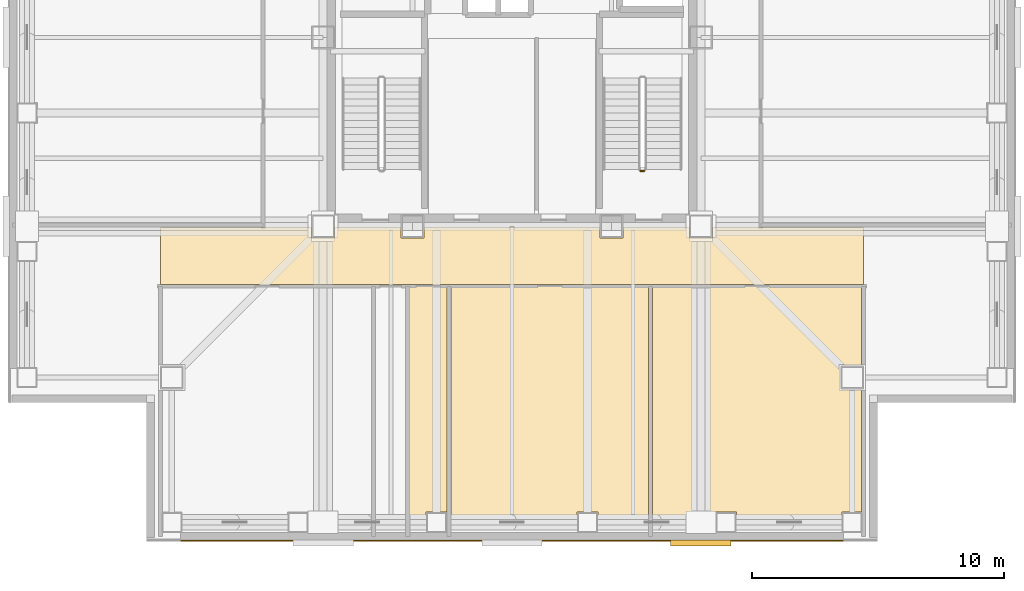
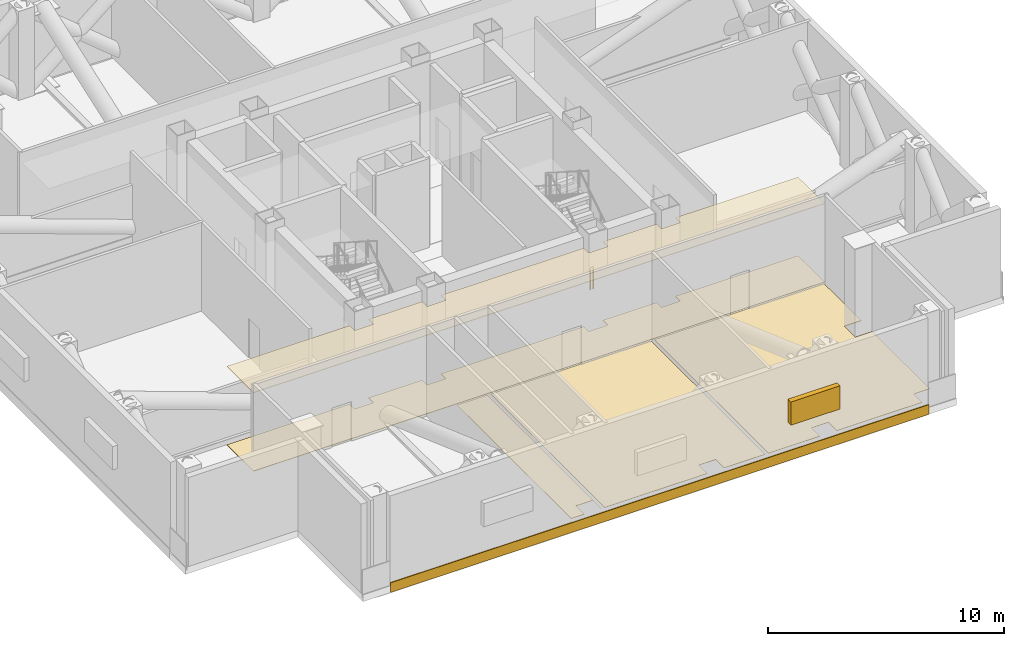
# One storey, part 7 of 10: 6 coverings, 1 railing, 1 shading device.
"""IFC4 building model written with IfcOpenShell, lengths in metres."""

from ifc_helpers import new_model, si_unit, direction, frame, frame_2d, origin, origin_2d, place, context, subcontext, project, spatial, polyline, rectangle, circle, outline, extrude, material, layer, layer_set, type_object, element, save


model = new_model("IFC4")

# Units and contexts
model_context = context("Model", 3, precision=1e-05, world=origin(), true_north=direction((0.0, 1.0)))
body_context = subcontext(model_context, "Body", "Model", "MODEL_VIEW")
ifc_project = project(units=[si_unit("LENGTHUNIT", "METRE"), si_unit("AREAUNIT", "SQUARE_METRE"), si_unit("VOLUMEUNIT", "CUBIC_METRE"), si_unit("PLANEANGLEUNIT", "RADIAN"), si_unit("MASSUNIT", "GRAM", prefix="KILO")], contexts=[model_context])

# Site, building, storey
site_placement = place(None, origin())
site = spatial("IfcSite", under=ifc_project, at=site_placement, CompositionType="ELEMENT")
building_placement = place(site_placement, origin())
building = spatial("IfcBuilding", under=site, at=building_placement, Name="Trevonay Congress Spire", CompositionType="ELEMENT")
storey_placement = place(building_placement, frame((0.0, 0.0, 227.39990234375)))
storey = spatial("IfcBuildingStorey", under=building, at=storey_placement, Name="L59", CompositionType="ELEMENT", Elevation=227.39990234375)

# Coverings
ifc_material_1 = material(Name="Acoustic Mineral Fibre Board", Category="gypsum")
ifc_layer_1 = layer(ifc_material_1, 0.02490234375, Name="Acoustic Mineral Fibre Board")
ifc_layer_set_1 = layer_set([ifc_layer_1], Name="Acoustic Mineral Fibre Board")
covering_type_1 = type_object("IfcCoveringType", Name="COV-CEIL-ACOUSTIC", PredefinedType="CEILING", material=ifc_layer_set_1)
covering_1_placement = place(storey_placement, frame((0.0, 0.0, 4.050048828125)))
element("IfcCovering", 1, at=covering_1_placement, inside=storey, type_object=covering_type_1, Name="L59 Plant and Refuge Corridor South acoustic suspended ceiling", PredefinedType="CEILING", context=body_context, shape_type="SweptSolid", body=[
    extrude(outline(polyline([(13.949951171875, -7.550048828125), (13.949951171875, -9.800048828125), (-13.949951171875, -9.800048828125), (-13.949951171875, -7.550048828125), (-7.9599609375, -7.550048828125), (-7.9599609375, -7.9599609375), (-7.0400390625, -7.9599609375), (-7.0400390625, -7.550048828125), (-4.409912109375, -7.550048828125), (-4.409912109375, -7.9599609375), (-3.489990234375, -7.9599609375), (-3.489990234375, -7.550048828125), (3.489990234375, -7.550048828125), (3.489990234375, -7.9599609375), (4.409912109375, -7.9599609375), (4.409912109375, -7.550048828125), (7.0400390625, -7.550048828125), (7.0400390625, -7.9599609375), (7.9599609375, -7.9599609375), (7.9599609375, -7.550048828125), (13.949951171875, -7.550048828125)])), origin(), (0.0, 0.0, 1.0), 0.025146484375),
])
ifc_material_2 = material(Name="Polished Granite Floor Tile", Category="masonry")
ifc_layer_2 = layer(ifc_material_2, 0.02001953125, Name="Polished Granite Floor Tile")
ifc_layer_set_2 = layer_set([ifc_layer_2], Name="Polished Granite Floor Tile")
covering_type_2 = type_object("IfcCoveringType", Name="COV-FLOOR-STONE", PredefinedType="FLOORING", material=ifc_layer_set_2)
covering_2_placement = place(storey_placement, origin())
element("IfcCovering", 2, at=covering_2_placement, inside=storey, type_object=covering_type_2, Name="L59 Plant and Refuge Corridor South floor finish", PredefinedType="FLOORING", context=body_context, shape_type="SweptSolid", body=[
    extrude(outline(polyline([(13.949951171875, -7.550048828125), (13.949951171875, -9.800048828125), (-13.949951171875, -9.800048828125), (-13.949951171875, -7.550048828125), (-7.9599609375, -7.550048828125), (-7.9599609375, -7.9599609375), (-7.0400390625, -7.9599609375), (-7.0400390625, -7.550048828125), (-4.409912109375, -7.550048828125), (-4.409912109375, -7.9599609375), (-3.489990234375, -7.9599609375), (-3.489990234375, -7.550048828125), (3.489990234375, -7.550048828125), (3.489990234375, -7.9599609375), (4.409912109375, -7.9599609375), (4.409912109375, -7.550048828125), (7.0400390625, -7.550048828125), (7.0400390625, -7.9599609375), (7.9599609375, -7.9599609375), (7.9599609375, -7.550048828125), (13.949951171875, -7.550048828125)])), origin(), (0.0, 0.0, 1.0), 0.02001953125),
])
covering_3_placement = place(storey_placement, origin())
element("IfcCovering", 3, at=covering_3_placement, inside=storey, type_object=covering_type_2, Name="L59 Floor Supplies and Copy Room floor finish", PredefinedType="FLOORING", context=body_context, shape_type="SweptSolid", body=[
    extrude(outline(polyline([(-4.06005859375, -19.550048828125), (-4.06005859375, -9.8798828125), (-2.580078125, -9.8798828125), (-2.580078125, -19.550048828125), (-2.590087890625, -19.550048828125), (-2.590087890625, -18.840087890625), (-3.409912109375, -18.840087890625), (-3.409912109375, -19.550048828125), (-4.06005859375, -19.550048828125)])), origin(), (0.0, 0.0, 1.0), 0.02001953125),
])
covering_4_placement = place(storey_placement, origin())
element("IfcCovering", 4, at=covering_4_placement, inside=storey, type_object=covering_type_2, Name="L59 Primary AHU Supply Plant floor finish", PredefinedType="FLOORING", context=body_context, shape_type="SweptSolid", body=[
    extrude(outline(polyline([(-2.419921875, -19.550048828125), (-2.419921875, -9.8798828125), (5.419921875, -9.8798828125), (5.419921875, -19.550048828125), (3.409912109375, -19.550048828125), (3.409912109375, -18.840087890625), (2.590087890625, -18.840087890625), (2.590087890625, -19.550048828125), (-2.419921875, -19.550048828125)])), origin(), (0.0, 0.0, 1.0), 0.02001953125),
])
covering_5_placement = place(storey_placement, origin())
element("IfcCovering", 5, at=covering_5_placement, inside=storey, type_object=covering_type_2, Name="L59 Heat-Recovery Exhaust Plant floor finish", PredefinedType="FLOORING", context=body_context, shape_type="SweptSolid", body=[
    extrude(outline(polyline([(5.580078125, -19.550048828125), (5.580078125, -9.8798828125), (13.8701171875, -9.8798828125), (13.8701171875, -13.0400390625), (13.0400390625, -13.0400390625), (13.0400390625, -13.9599609375), (13.8701171875, -13.9599609375), (13.8701171875, -18.840087890625), (13.090087890625, -18.840087890625), (13.090087890625, -19.550048828125), (8.909912109375, -19.550048828125), (8.909912109375, -18.840087890625), (8.090087890625, -18.840087890625), (8.090087890625, -19.550048828125), (5.580078125, -19.550048828125)])), origin(), (0.0, 0.0, 1.0), 0.02001953125),
])
ifc_material_3 = material(Name="Pale Anodised Aluminium EN AW-6063-T6", Category="aluminium")
ifc_layer_3 = layer(ifc_material_3, 0.0400390625, Name="Pale Anodised Aluminium EN AW-6063-T6")
ifc_layer_set_3 = layer_set([ifc_layer_3], Name="Pale Anodised Aluminium EN AW-6063-T6")
covering_type_3 = type_object("IfcCoveringType", Name="COV-SPANDREL-PALE-METAL", PredefinedType="CLADDING", material=ifc_layer_set_3)
covering_6_placement = place(storey_placement, frame((-13.14990234375, -19.97998046875, -0.349853515625), z_axis=(0.0, 0.0, 1.0), x_axis=(1.0, 0.0, 0.0)))
element("IfcCovering", 6, at=covering_6_placement, inside=storey, type_object=covering_type_3, Name="L59 S pale-metal belt-truss spandrel cladding", PredefinedType="CLADDING", context=body_context, shape_type="SweptSolid", body=[
    extrude(rectangle(XDim=26.2998046875, YDim=0.0400390625, at=frame_2d((13.14990234375, 0.0))), origin(), (0.0, 0.0, 1.0), 0.5),
])

# Railing
railing_type = type_object("IfcRailingType", Name="RAL-STAIR-GUARD-110", PredefinedType="GUARDRAIL", material=ifc_material_3)
railing_placement = place(storey_placement, frame((5.25, -5.300048828125, 0.0)))
element("IfcRailing", 7, at=railing_placement, inside=storey, type_object=railing_type, Name="L59 ST-2 stair guard 4", PredefinedType="GUARDRAIL", context=body_context, shape_type="SweptSolid", body=[
    extrude(circle(Radius=0.02392578125, at=origin_2d()), frame((0.0, 0.0, 1.1259765625), z_axis=(-1.0, 0.0, 0.0), x_axis=(0.0, -1.0, 0.0)), (0.0, 0.0, 1.0), 0.14990234375),
    extrude(circle(Radius=0.02099609375, at=origin_2d()), origin(), (0.0, 0.0, 1.0), 1.101806640625),
    extrude(circle(Radius=0.02099609375, at=origin_2d()), frame((-0.14990234375, 0.0, 0.0)), (0.0, 0.0, 1.0), 1.101806640625),
])

# Shading device
shading_device_type = type_object("IfcShadingDeviceType", Name="SHD-LOUVRE-PLANT-ALUM", PredefinedType="USERDEFINED", material=ifc_material_3)
shading_device_placement = place(storey_placement, frame((7.5, -20.070068359375, 1.60009765625), z_axis=(0.0, 0.0, 1.0), x_axis=(1.0, 0.0, 0.0)))
element("IfcShadingDevice", 8, at=shading_device_placement, inside=storey, type_object=shading_device_type, Name="L59 S acoustic plant intake louvre 3", ObjectType="LOUVRE", PredefinedType="USERDEFINED", context=body_context, shape_type="SweptSolid", body=[
    extrude(rectangle(XDim=2.39990234375, YDim=0.25, at=origin_2d()), origin(), (0.0, 0.0, 1.0), 1.199951171875),
])

save(model, "model.ifc")
